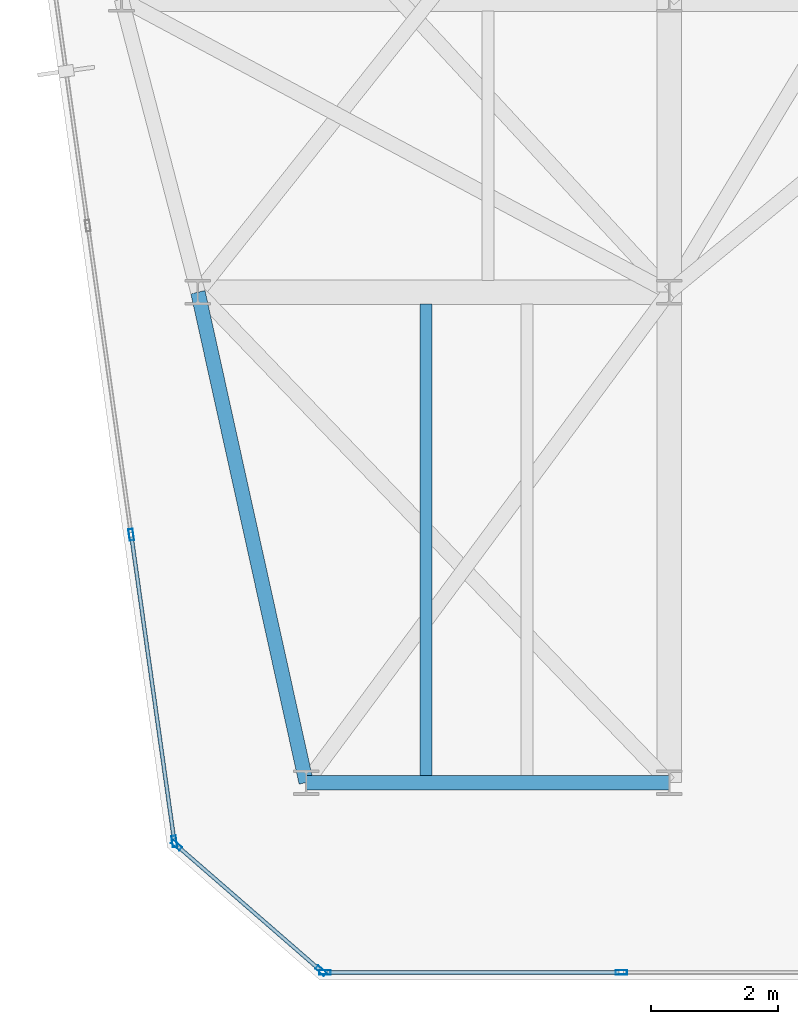
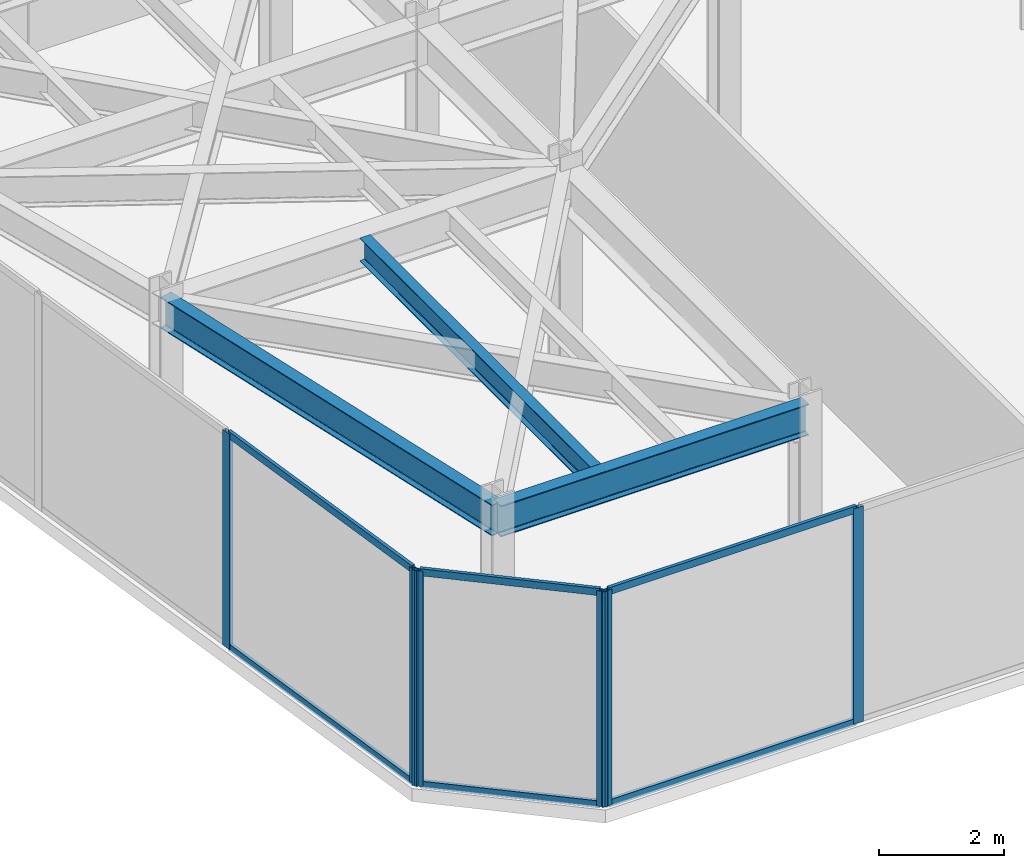
# One storey, part 2 of 25: 12 members, 3 beams, 3 elements without a shape of their own.
"""IFC4 building model written with IfcOpenShell, lengths in metres."""

from ifc_helpers import new_model, si_unit, direction, frame, origin, origin_2d, place, context, subcontext, project, spatial, hollow_rectangle, i_section, extrude, material, layer, layer_set, material_profile, profile_set, type_object, element, aggregate, save


model = new_model("IFC4")

# Units and contexts
model_context = context("Model", 3, precision=1e-05, world=origin(), true_north=direction((0.0, 1.0)))
body_context = subcontext(model_context, "Body", "Model", "MODEL_VIEW")
ifc_project = project(units=[si_unit("LENGTHUNIT", "METRE"), si_unit("AREAUNIT", "SQUARE_METRE"), si_unit("VOLUMEUNIT", "CUBIC_METRE"), si_unit("PLANEANGLEUNIT", "RADIAN"), si_unit("MASSUNIT", "GRAM", prefix="KILO")], contexts=[model_context])

# Site, building, storey
site_placement = place(None, origin())
site = spatial("IfcSite", under=ifc_project, at=site_placement, CompositionType="ELEMENT")
building_placement = place(site_placement, origin())
building = spatial("IfcBuilding", under=site, at=building_placement, Name="Kravanh Interchange Tower", CompositionType="ELEMENT")
storey_placement = place(building_placement, frame((0.0, 0.0, 220.5)))
storey = spatial("IfcBuildingStorey", under=building, at=storey_placement, Name="L53", CompositionType="ELEMENT", Elevation=220.5)

# Curtain wall, members
ifc_material_1 = material(Name="Anodised Bronze Aluminium", Category="aluminium")
ifc_layer = layer(ifc_material_1, 0.179931640625)
ifc_layer_set = layer_set([ifc_layer], Name="Unitised Curtain Wall System CW-SKY Sky Observatory")
curtain_wall_type = type_object("IfcCurtainWallType", Name="Unitised Curtain Wall System CW-SKY Sky Observatory", PredefinedType="NOTDEFINED", material=ifc_layer_set)
curtain_wall_1_placement = place(storey_placement, origin())
curtain_wall_1 = element("IfcCurtainWall", 1, at=curtain_wall_1_placement, inside=storey, type_object=curtain_wall_type, Name="L53 Unitised Curtain Wall CW-L53-01", PredefinedType="NOTDEFINED")
ifc_material_2 = material(Name="Anodised Bronze Aluminium", Category="aluminium")
ifc_material_profile_1 = material_profile(ifc_material_2, hollow_rectangle(XDim=0.070068359375, YDim=0.179931640625, WallThickness=0.00390625, at=origin_2d()), Name="ALU70X180X4")
ifc_profile_set_1 = profile_set([ifc_material_profile_1], Name="Anodised Bronze Aluminium")
member_type_1 = type_object("IfcMemberType", Name="Curtain Wall Mullion ALU70X180X4 Bronze", PredefinedType="MULLION", material=ifc_profile_set_1)
member_1_placement = place(storey_placement, frame((19.429443359375, 13.575439453125, 0.0), z_axis=(0.0, 0.0, 1.0), x_axis=(-0.990268194035, -0.139172209446, 0.0)))
member_1 = element("IfcMember", 2, at=member_1_placement, type_object=member_type_1, Name="CW-SKY mullion 1", PredefinedType="MULLION", context=body_context, shape_type="SweptSolid", body=[
    extrude(hollow_rectangle(XDim=0.070068359375, YDim=0.179931640625, WallThickness=0.00390625, at=origin_2d()), origin(), (0.0, 0.0, 1.0), 4.219970703125),
])
member_2_placement = place(storey_placement, frame((18.75244140625, 18.392578125, 0.0), z_axis=(0.0, 0.0, 1.0), x_axis=(-0.990268194035, -0.139172209446, 0.0)))
member_2 = element("IfcMember", 3, at=member_2_placement, type_object=member_type_1, Name="CW-SKY mullion 2", PredefinedType="MULLION", context=body_context, shape_type="SweptSolid", body=[
    extrude(hollow_rectangle(XDim=0.070068359375, YDim=0.179931640625, WallThickness=0.00390625, at=origin_2d()), origin(), (0.0, 0.0, 1.0), 4.219970703125),
])

curtain_wall_2_placement = place(storey_placement, origin())
curtain_wall_2 = element("IfcCurtainWall", 4, at=curtain_wall_2_placement, inside=storey, type_object=curtain_wall_type, Name="L53 Unitised Curtain Wall CW-L53-07", PredefinedType="NOTDEFINED")
member_3_placement = place(storey_placement, frame((26.447998046875, 11.52001953125, 0.0), z_axis=(0.0, 0.0, 1.0), x_axis=(0.0, -1.0, 0.0)))
member_3 = element("IfcMember", 5, at=member_3_placement, type_object=member_type_1, Name="CW-SKY mullion 2", PredefinedType="MULLION", context=body_context, shape_type="SweptSolid", body=[
    extrude(hollow_rectangle(XDim=0.070068359375, YDim=0.179931640625, WallThickness=0.00390625, at=origin_2d()), origin(), (0.0, 0.0, 1.0), 4.219970703125),
])
member_4_placement = place(storey_placement, frame((21.7939453125, 11.52001953125, 0.0), z_axis=(0.0, 0.0, 1.0), x_axis=(0.0, -1.0, 0.0)))
member_4 = element("IfcMember", 6, at=member_4_placement, type_object=member_type_1, Name="CW-SKY mullion 3", PredefinedType="MULLION", context=body_context, shape_type="SweptSolid", body=[
    extrude(hollow_rectangle(XDim=0.070068359375, YDim=0.179931640625, WallThickness=0.00390625, at=origin_2d()), origin(), (0.0, 0.0, 1.0), 4.219970703125),
])

curtain_wall_3_placement = place(storey_placement, origin())
curtain_wall_3 = element("IfcCurtainWall", 7, at=curtain_wall_3_placement, inside=storey, type_object=curtain_wall_type, Name="L53 Unitised Curtain Wall CW-L53-08", PredefinedType="NOTDEFINED")
member_5_placement = place(storey_placement, frame((21.732666015625, 11.54296875, 0.0), z_axis=(0.0, 0.0, 1.0), x_axis=(-0.65605090137, -0.754716645379, 0.0)))
member_5 = element("IfcMember", 8, at=member_5_placement, type_object=member_type_1, Name="CW-SKY mullion 1", PredefinedType="MULLION", context=body_context, shape_type="SweptSolid", body=[
    extrude(hollow_rectangle(XDim=0.070068359375, YDim=0.179931640625, WallThickness=0.00390625, at=origin_2d()), origin(), (0.0, 0.0, 1.0), 4.219970703125),
])
member_6_placement = place(storey_placement, frame((19.460693359375, 13.517822265625, 0.0), z_axis=(0.0, 0.0, 1.0), x_axis=(-0.65605090137, -0.754716645379, 0.0)))
member_6 = element("IfcMember", 9, at=member_6_placement, type_object=member_type_1, Name="CW-SKY mullion 2", PredefinedType="MULLION", context=body_context, shape_type="SweptSolid", body=[
    extrude(hollow_rectangle(XDim=0.070068359375, YDim=0.179931640625, WallThickness=0.00390625, at=origin_2d()), origin(), (0.0, 0.0, 1.0), 4.219970703125),
])

# Member
ifc_material_3 = material(Name="Anodised Bronze Aluminium", Category="aluminium")
ifc_material_profile_2 = material_profile(ifc_material_3, hollow_rectangle(XDim=0.06005859375, YDim=0.139892578125, WallThickness=0.00390625, at=origin_2d()), Name="ALU60X140X4")
ifc_profile_set_2 = profile_set([ifc_material_profile_2], Name="Anodised Bronze Aluminium")
member_type_2 = type_object("IfcMemberType", Name="Curtain Wall Transom ALU60X140X4 Bronze", PredefinedType="USERDEFINED", material=ifc_profile_set_2)
member_7_placement = place(storey_placement, frame((19.424560546875, 13.610107421875, 0.030029296875), z_axis=(-0.13916822667, 0.990268753766, 0.0), x_axis=(-0.990268753766, -0.13916822667, 0.0)))
member_7 = element("IfcMember", 10, at=member_7_placement, type_object=member_type_2, Name="CW-SKY transom 1.1", ObjectType="TRANSOM", PredefinedType="USERDEFINED", context=body_context, shape_type="SweptSolid", body=[
    extrude(hollow_rectangle(XDim=0.06005859375, YDim=0.139892578125, WallThickness=0.00390625, at=origin_2d()), origin(), (0.0, 0.0, 1.0), 4.79443359375),
])

member_8_placement = place(storey_placement, frame((19.424560546875, 13.610107421875, 4.18994140625), z_axis=(-0.13916822667, 0.990268753766, 0.0), x_axis=(-0.990268753766, -0.13916822667, 0.0)))
member_8 = element("IfcMember", 11, at=member_8_placement, type_object=member_type_2, Name="CW-SKY transom 1.2", ObjectType="TRANSOM", PredefinedType="USERDEFINED", context=body_context, shape_type="SweptSolid", body=[
    extrude(hollow_rectangle(XDim=0.06005859375, YDim=0.139892578125, WallThickness=0.00390625, at=origin_2d()), origin(), (0.0, 0.0, 1.0), 4.79443359375),
])

aggregate(curtain_wall_1, [member_1, member_2, member_7, member_8])

member_9_placement = place(storey_placement, frame((26.412841796875, 11.52001953125, 0.030029296875), z_axis=(-1.0, 0.0, 0.0), x_axis=(0.0, -1.0, 0.0)))
member_9 = element("IfcMember", 12, at=member_9_placement, type_object=member_type_2, Name="CW-SKY transom 2.1", ObjectType="TRANSOM", PredefinedType="USERDEFINED", context=body_context, shape_type="SweptSolid", body=[
    extrude(hollow_rectangle(XDim=0.06005859375, YDim=0.139892578125, WallThickness=0.00390625, at=origin_2d()), origin(), (0.0, 0.0, 1.0), 4.583740234375),
])

member_10_placement = place(storey_placement, frame((26.412841796875, 11.52001953125, 4.18994140625), z_axis=(-1.0, 0.0, 0.0), x_axis=(0.0, -1.0, 0.0)))
member_10 = element("IfcMember", 13, at=member_10_placement, type_object=member_type_2, Name="CW-SKY transom 2.2", ObjectType="TRANSOM", PredefinedType="USERDEFINED", context=body_context, shape_type="SweptSolid", body=[
    extrude(hollow_rectangle(XDim=0.06005859375, YDim=0.139892578125, WallThickness=0.00390625, at=origin_2d()), origin(), (0.0, 0.0, 1.0), 4.583740234375),
])

aggregate(curtain_wall_2, [member_3, member_4, member_9, member_10])

member_11_placement = place(storey_placement, frame((21.7060546875, 11.56591796875, 0.030029296875), z_axis=(-0.754671664656, 0.656102643315, 0.0), x_axis=(-0.656102643315, -0.754671664656, 0.0)))
member_11 = element("IfcMember", 14, at=member_11_placement, type_object=member_type_2, Name="CW-SKY transom 1.1", ObjectType="TRANSOM", PredefinedType="USERDEFINED", context=body_context, shape_type="SweptSolid", body=[
    extrude(hollow_rectangle(XDim=0.06005859375, YDim=0.139892578125, WallThickness=0.00390625, at=origin_2d()), origin(), (0.0, 0.0, 1.0), 2.93994140625),
])

member_12_placement = place(storey_placement, frame((21.7060546875, 11.56591796875, 4.18994140625), z_axis=(-0.754671664656, 0.656102643315, 0.0), x_axis=(-0.656102643315, -0.754671664656, 0.0)))
member_12 = element("IfcMember", 15, at=member_12_placement, type_object=member_type_2, Name="CW-SKY transom 1.2", ObjectType="TRANSOM", PredefinedType="USERDEFINED", context=body_context, shape_type="SweptSolid", body=[
    extrude(hollow_rectangle(XDim=0.06005859375, YDim=0.139892578125, WallThickness=0.00390625, at=origin_2d()), origin(), (0.0, 0.0, 1.0), 2.93994140625),
])

aggregate(curtain_wall_3, [member_5, member_6, member_11, member_12])

# Beams
ifc_material_4 = material(Name="Structural Steel S355", Category="steel")
ifc_material_profile_3 = material_profile(ifc_material_4, i_section(OverallWidth=0.18994140625, OverallDepth=0.45703125, WebThickness=0.009033203125, FlangeThickness=0.014404296875, FilletRadius=0.01806640625, at=origin_2d()), Name="W18X50")
ifc_profile_set_3 = profile_set([ifc_material_profile_3], Name="Structural Steel S355")
beam_type_1 = type_object("IfcBeamType", Name="Floor Joist W18X50 Structural Steel S355", PredefinedType="JOIST", material=ifc_profile_set_3)
beam_1_placement = place(storey_placement, frame((23.382080078125, 14.60888671875, 3.991455078125), z_axis=(0.0, 1.0, 0.0), x_axis=(-1.0, 0.0, 0.0)))
element("IfcBeam", 16, at=beam_1_placement, inside=storey, type_object=beam_type_1, Name="L53 Secondary Floor Joist 1", PredefinedType="JOIST", context=body_context, shape_type="SweptSolid", body=[
    extrude(i_section(OverallWidth=0.18994140625, OverallDepth=0.45703125, WebThickness=0.009033203125, FlangeThickness=0.014404296875, FilletRadius=0.01806640625, at=origin_2d()), origin(), (0.0, 0.0, 1.0), 7.405517578125),
])
ifc_material_5 = material(Name="Structural Steel S355", Category="steel")
ifc_material_profile_4 = material_profile(ifc_material_5, i_section(OverallWidth=0.22802734375, OverallDepth=0.60791015625, WebThickness=0.01123046875, FlangeThickness=0.017333984375, FilletRadius=0.02197265625, at=origin_2d()), Name="W24X76")
ifc_profile_set_4 = profile_set([ifc_material_profile_4], Name="Structural Steel S355")
beam_type_2 = type_object("IfcBeamType", Name="Floor Spandrel W24X76 Structural Steel S355", PredefinedType="SPANDREL", material=ifc_profile_set_4)
beam_2_placement = place(storey_placement, frame((21.5, 14.5, 3.916015625), z_axis=(1.0, 0.0, 0.0), x_axis=(0.0, 1.0, 0.0)))
element("IfcBeam", 17, at=beam_2_placement, inside=storey, type_object=beam_type_2, Name="L53 Perimeter Spandrel 30", PredefinedType="SPANDREL", context=body_context, shape_type="SweptSolid", body=[
    extrude(i_section(OverallWidth=0.22802734375, OverallDepth=0.60791015625, WebThickness=0.01123046875, FlangeThickness=0.017333984375, FilletRadius=0.02197265625, at=origin_2d()), origin(), (0.0, 0.0, 1.0), 5.699951171875),
])
beam_3_placement = place(storey_placement, frame((21.5, 14.5, 3.916015625), z_axis=(-0.215582892261, 0.976485543449, 0.0), x_axis=(-0.976485543449, -0.215582892261, 0.0)))
element("IfcBeam", 18, at=beam_3_placement, inside=storey, type_object=beam_type_2, Name="L53 Perimeter Spandrel 31", PredefinedType="SPANDREL", context=body_context, shape_type="SweptSolid", body=[
    extrude(i_section(OverallWidth=0.22802734375, OverallDepth=0.60791015625, WebThickness=0.01123046875, FlangeThickness=0.017333984375, FilletRadius=0.02197265625, at=origin_2d()), origin(), (0.0, 0.0, 1.0), 7.88525390625),
])

save(model, "model.ifc")
